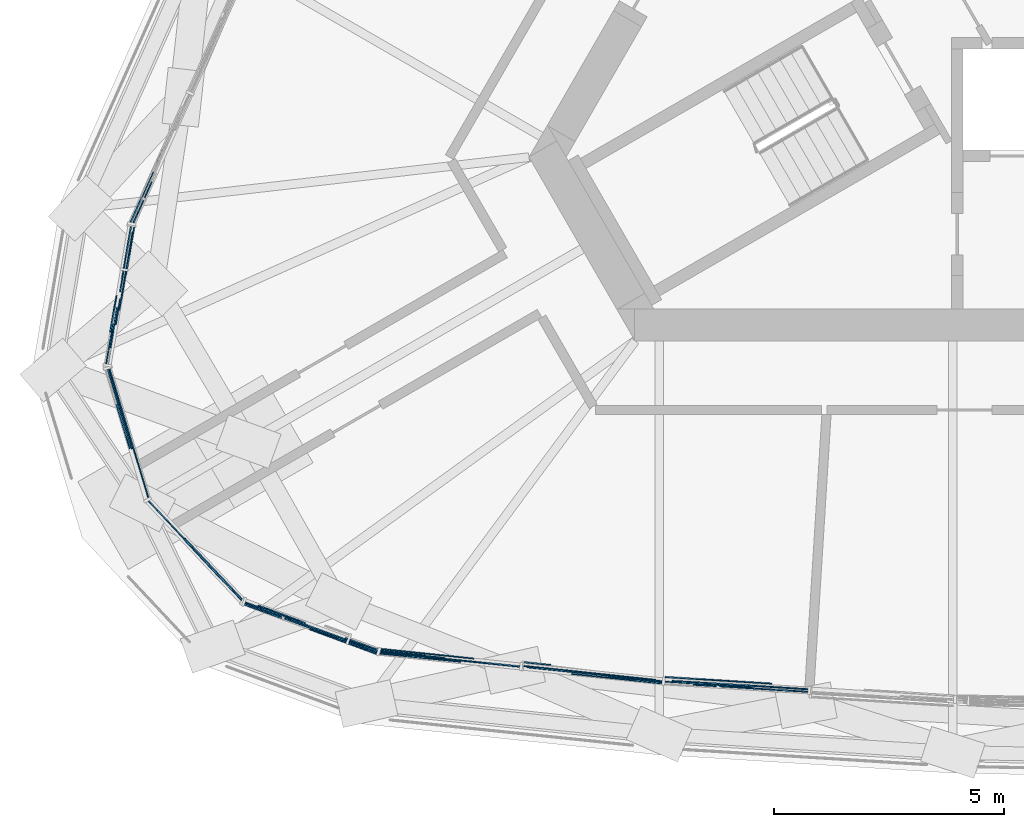
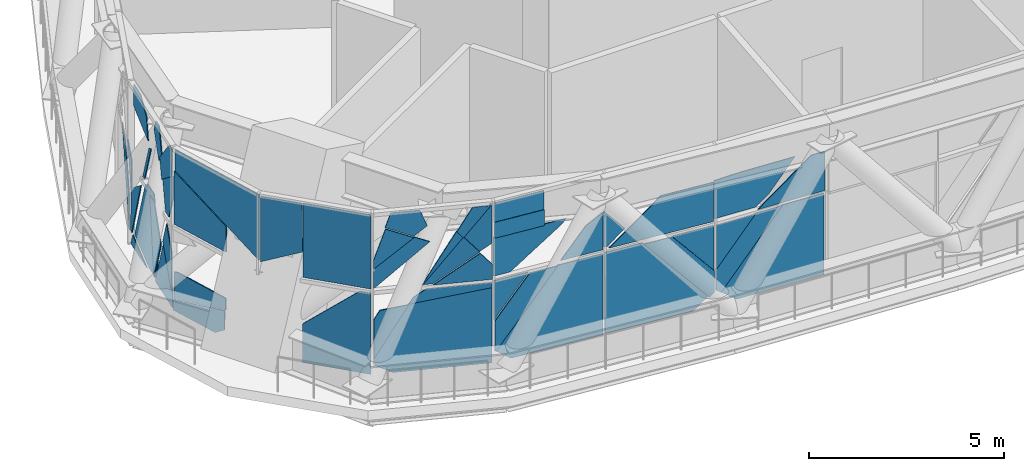
# One storey, part 9 of 33: 48 plates, 3 elements without a shape of their own.
"""IFC4 building model written with IfcOpenShell, lengths in metres."""

from ifc_helpers import new_model, si_unit, direction, frame, origin, place, context, subcontext, project, spatial, polyline, outline, extrude, material, layer, layer_set, type_object, element, aggregate, save


model = new_model("IFC4")

# Units and contexts
model_context = context("Model", 3, precision=1e-05, world=origin(), true_north=direction((0.0, 1.0)))
body_context = subcontext(model_context, "Body", "Model", "MODEL_VIEW")
ifc_project = project(units=[si_unit("LENGTHUNIT", "METRE"), si_unit("AREAUNIT", "SQUARE_METRE"), si_unit("VOLUMEUNIT", "CUBIC_METRE"), si_unit("PLANEANGLEUNIT", "RADIAN"), si_unit("MASSUNIT", "GRAM", prefix="KILO")], contexts=[model_context])

# Site, building, storey
site_placement = place(None, origin())
site = spatial("IfcSite", under=ifc_project, at=site_placement, CompositionType="ELEMENT")
building_placement = place(site_placement, origin())
building = spatial("IfcBuilding", under=site, at=building_placement, Name="Mestral Congress Tower", CompositionType="ELEMENT")
storey_placement = place(building_placement, frame((0.0, 0.0, 256.199951171875)))
storey = spatial("IfcBuildingStorey", under=building, at=storey_placement, Name="L60", CompositionType="ELEMENT", Elevation=256.199951171875)

# Curtain wall, plates
ifc_material_1 = material(Name="Clear low-emissivity double glazing", Category="glass")
curtain_wall_type = type_object("IfcCurtainWallType", Name="Facade refuge band screen", PredefinedType="USERDEFINED", material=ifc_material_1)
placement = place(storey_placement, origin())
curtain_wall_1 = element("IfcCurtainWall", 1, at=placement, inside=storey, type_object=curtain_wall_type, Name="Facade refuge band screen face 1", ObjectType="CURTAIN WALL", PredefinedType="USERDEFINED")
ifc_material_2 = material(Name="Anodised aluminium", Category="aluminium")
ifc_layer_1 = layer(ifc_material_2, 0.028076171875)
ifc_layer_set_1 = layer_set([ifc_layer_1], Name="Anodised aluminium")
plate_type_1 = type_object("IfcPlateType", Name="Facade refuge band screen brace cover panel", PredefinedType="CURTAIN_PANEL", material=ifc_layer_set_1)
plate_1_placement = place(storey_placement, frame((-17.101318359375, -17.338134765625, 2.5400390625), z_axis=(-0.103379390234, -0.994640235948, 0.001871552563), x_axis=(-0.621178199675, 0.063093271321, -0.781125395415)))
plate_1 = element("IfcPlate", 2, at=plate_1_placement, type_object=plate_type_1, Name="Facade refuge band screen brace cover panel", PredefinedType="CURTAIN_PANEL", context=body_context, shape_type="SweptSolid", body=[
    extrude(outline(polyline([(0.0, 0.0), (2.7932579262230375, 4.440892098500626e-16), (2.7931802957386234, -0.03274843942045336), (2.063843629585277, -0.6159500783964226), (0.49226013915455474, -0.6158465653093379), (0.0, 0.0)])), origin(), (0.0, 0.0, -1.0), 0.028076171875),
])
plate_2_placement = place(storey_placement, frame((-12.72607421875, -17.81005859375, 0.473388671875), z_axis=(-0.10352227444, -0.994624990082, 0.002065865059), x_axis=(-0.761368796906, 0.077907750426, -0.643620957957)))
plate_2 = element("IfcPlate", 3, at=plate_2_placement, type_object=plate_type_1, Name="Facade refuge band screen brace cover panel", PredefinedType="CURTAIN_PANEL", context=body_context, shape_type="SweptSolid", body=[
    extrude(outline(polyline([(0.0, 0.0), (0.18435192707830902, 0.0), (0.18547759981695977, -2.8562769257331464), (-0.4292111810353857, -2.339348543820171), (-0.42985233155703656, -0.5109644382313392), (0.0, 0.0)])), origin(), (0.0, 0.0, -1.0), 0.028076171875),
])
plate_3_placement = place(storey_placement, frame((-12.720947265625, -17.761474609375, 3.887939453125), z_axis=(-0.103537584403, -0.994623450805, 0.00203954012), x_axis=(-0.000203109569, -0.002029417667, -0.999997920103)))
plate_3 = element("IfcPlate", 4, at=plate_3_placement, type_object=plate_type_1, Name="Facade refuge band screen brace cover panel", PredefinedType="CURTAIN_PANEL", context=body_context, shape_type="SweptSolid", body=[
    extrude(outline(polyline([(0.0, 0.0), (1.2277856536827398, 2.541098841762901e-20), (1.2277618679999558, -2.947967465425417), (-1.2041603283603536e-05, -1.4732552472235703), (0.0, 0.0)])), origin(), (0.0, 0.0, -1.0), 0.028076171875),
])
plate_4_placement = place(storey_placement, frame((-15.642578125, -17.357421875, 2.66015625), z_axis=(-0.103491164646, -0.994628250995, 0.002054546745), x_axis=(-0.994630349718, 0.103491388111, 2.465286e-06)))
plate_4 = element("IfcPlate", 5, at=plate_4_placement, type_object=plate_type_1, Name="Facade refuge band screen brace cover panel", PredefinedType="CURTAIN_PANEL", context=body_context, shape_type="SweptSolid", body=[
    extrude(outline(polyline([(0.0, 0.0), (0.10727882487304942, -3.3881317890172014e-21), (0.10726620041973774, -1.1386740138280125), (-0.500141273357996, -0.41650628278703966), (0.0, 0.0)])), origin(), (0.0, 0.0, -1.0), 0.028076171875),
])
plate_5_placement = place(storey_placement, frame((-10.7578125, -17.887939453125, 2.5400390625), z_axis=(-0.062418927982, -0.998047825995, 0.002101060861), x_axis=(-0.627498555361, 0.037607189006, -0.777708983074)))
plate_5 = element("IfcPlate", 6, at=plate_5_placement, type_object=plate_type_1, Name="Facade refuge band screen brace cover panel", PredefinedType="CURTAIN_PANEL", context=body_context, shape_type="SweptSolid", body=[
    extrude(outline(polyline([(0.0, 0.0), (2.79077477568877, -4.440892098500626e-16), (2.7907089696064267, -0.19604871965291504), (2.278141584858341, -0.6101408084164317), (0.4931419201280965, -0.6100983399348904), (0.0, 0.0)])), origin(), (0.0, 0.0, -1.0), 0.028076171875),
])
plate_6_placement = place(storey_placement, frame((-9.552978515625, -17.992919921875, 2.66015625), z_axis=(-0.06223317709, -0.998059285638, 0.002166568815), x_axis=(-0.998061628097, 0.062233323238, 3.9969e-08)))
plate_6 = element("IfcPlate", 7, at=plate_6_placement, type_object=plate_type_1, Name="Facade refuge band screen brace cover panel", PredefinedType="CURTAIN_PANEL", context=body_context, shape_type="SweptSolid", body=[
    extrude(outline(polyline([(0.0, 0.0), (1.921695917654586, 0.0), (0.3849449644127159, -1.2277860693688467), (-7.648780928287537e-05, -1.2277861615669603), (0.0, 0.0)])), origin(), (0.0, 0.0, -1.0), 0.028076171875),
])
plate_7_placement = place(storey_placement, frame((-12.654541015625, -17.668701171875, 3.853759765625), z_axis=(-0.062289521464, -0.998056019883, 0.002048582853), x_axis=(0.997087630121, -0.062138326136, 0.04421635765)))
plate_7 = element("IfcPlate", 8, at=plate_7_placement, type_object=plate_type_1, Name="Facade refuge band screen brace cover panel", PredefinedType="CURTAIN_PANEL", context=body_context, shape_type="SweptSolid", body=[
    extrude(outline(polyline([(0.0, 0.0), (0.7730071261262619, -6.938893903907228e-18), (2.324792582283757, -0.06868146274167136), (1.5454667222664573, -0.9498811363534003), (1.1401817682634008, -1.2452388547658664), (-0.052868524638070964, -1.192434606860922), (0.0, 0.0)])), origin(), (0.0, 0.0, -1.0), 0.028076171875),
])

# Curtain wall, plate
curtain_wall_2 = element("IfcCurtainWall", 9, at=placement, inside=storey, type_object=curtain_wall_type, Name="Facade refuge band screen face 3", ObjectType="CURTAIN WALL", PredefinedType="USERDEFINED")
plate_8_placement = place(storey_placement, frame((-24.291259765625, -7.75537109375, 0.378662109375), z_axis=(-0.913240743545, 0.4074149851, 0.002091469688), x_axis=(0.31668424514, 0.713074277737, -0.625488739555)))
plate_8 = element("IfcPlate", 10, at=plate_8_placement, type_object=plate_type_1, Name="Facade refuge band screen brace cover panel", PredefinedType="CURTAIN_PANEL", context=body_context, shape_type="SweptSolid", body=[
    extrude(outline(polyline([(0.0, 0.0), (0.03278733473663155, -3.469446951953614e-18), (0.028795781538370147, -2.7932626143564248), (-0.5863439918137435, -2.3001221408193144), (-0.5840861479285323, -0.7286288671210783), (0.0, 0.0)])), origin(), (0.0, 0.0, -1.0), 0.028076171875),
])

# Curtain wall, plates
curtain_wall_3 = element("IfcCurtainWall", 11, at=placement, inside=storey, type_object=curtain_wall_type, Name="Facade refuge band screen corner 3", ObjectType="CURTAIN WALL", PredefinedType="USERDEFINED")
plate_9_placement = place(storey_placement, frame((-24.282470703125, -7.828857421875, 0.404541015625), z_axis=(-0.985774987605, 0.168056837627, 0.00213848974), x_axis=(0.002104267219, -0.000381721201, 0.999997713172)))
plate_9 = element("IfcPlate", 12, at=plate_9_placement, type_object=plate_type_1, Name="Facade refuge band screen brace cover panel", PredefinedType="CURTAIN_PANEL", context=body_context, shape_type="SweptSolid", body=[
    extrude(outline(polyline([(0.0, 0.0), (1.3247098393678762, -6.098637220230962e-20), (1.8955288113423847, -0.7355683313880338), (-0.026121604751747712, -0.07606031981339366), (0.0, 0.0)])), origin(), (0.0, 0.0, -1.0), 0.028076171875),
])
plate_10_placement = place(storey_placement, frame((-24.82763671875, -10.871826171875, 1.740478515625), z_axis=(-0.985825123048, 0.167763375486, 0.002067997404), x_axis=(-0.002028901384, 0.000404444786, -0.99999785999)))
plate_10 = element("IfcPlate", 13, at=plate_10_placement, type_object=plate_type_1, Name="Facade refuge band screen brace cover panel", PredefinedType="CURTAIN_PANEL", context=body_context, shape_type="SweptSolid", body=[
    extrude(outline(polyline([(0.0, 0.0), (1.2304712676392862, -5.421010862427522e-20), (0.07767531230014299, -0.6587185270480004), (-0.6655067052488927, -0.3801784455047111), (0.0, 0.0)])), origin(), (0.0, 0.0, -1.0), 0.028076171875),
])
plate_11_placement = place(storey_placement, frame((-24.793212890625, -10.877685546875, 4.12890625), z_axis=(-0.985864987155, 0.167529799992, 0.001998303437), x_axis=(-0.00197117745, 0.00032820797, -0.999998003368)))
plate_11 = element("IfcPlate", 14, at=plate_11_placement, type_object=plate_type_1, Name="Facade refuge band screen brace cover panel", PredefinedType="CURTAIN_PANEL", context=body_context, shape_type="SweptSolid", body=[
    extrude(outline(polyline([(0.0, 0.0), (0.707765226326918, -2.710505431213761e-20), (1.4687509070793765, -0.28505132434714237), (1.4687494648008332, -0.5334167245569259), (0.581050883689675, -0.7486695234623933), (0.0, 0.0)])), origin(), (0.0, 0.0, -1.0), 0.028076171875),
])
plate_12_placement = place(storey_placement, frame((-24.698486328125, -10.134521484375, 3.5478515625), z_axis=(-0.985817883574, 0.167806392965, 0.002028522769), x_axis=(0.04150749915, 0.232097852946, 0.971806418055)))
plate_12 = element("IfcPlate", 15, at=plate_12_placement, type_object=plate_type_1, Name="Facade refuge band screen brace cover panel", PredefinedType="CURTAIN_PANEL", context=body_context, shape_type="SweptSolid", body=[
    extrude(outline(polyline([(0.0, 0.0), (0.6152460795167964, -2.7755575615628914e-17), (1.2645287692472826, -0.8620714296901706), (1.215301335186874, -1.064976797122442), (0.3882076760122668, -0.864361780222362), (0.0, 0.0)])), origin(), (0.0, 0.0, -1.0), 0.028076171875),
])
plate_13_placement = place(storey_placement, frame((-24.540771484375, -9.557861328125, 4.97998046875), z_axis=(-0.985845979346, 0.16764092339, 0.002055677861), x_axis=(-0.167641277407, -0.985848062386, 9.5467e-08)))
plate_13 = element("IfcPlate", 16, at=plate_13_placement, type_object=plate_type_1, Name="Facade refuge band screen brace cover panel", PredefinedType="CURTAIN_PANEL", context=body_context, shape_type="SweptSolid", body=[
    extrude(outline(polyline([(0.0, 0.0), (0.24764332996697716, -1.3552527156068805e-20), (0.4500181637554269, -0.8342303549453901), (0.2344055193311925, -1.0969261365804601), (-0.12494326814316098, -0.3293464173591217), (0.0, 0.0)])), origin(), (0.0, 0.0, -1.0), 0.028076171875),
])
plate_14_placement = place(storey_placement, frame((-24.49609375, -9.126708984375, 3.841552734375), z_axis=(-0.985650149956, 0.168784969339, 0.002327233607), x_axis=(-0.151482188171, -0.890522284259, 0.428979262792)))
plate_14 = element("IfcPlate", 17, at=plate_14_placement, type_object=plate_type_1, Name="Facade refuge band screen brace cover panel", PredefinedType="CURTAIN_PANEL", context=body_context, shape_type="SweptSolid", body=[
    extrude(outline(polyline([(0.0, 0.0), (0.1724433172751475, -1.3877787807814457e-17), (-0.7532739459509059, -0.8955287646634358), (-0.8111208617153689, -0.9226523683339285), (-0.9122390748437958, -0.8746319463879503), (0.0, 0.0)])), origin(), (0.0, 0.0, -1.0), 0.028076171875),
])
plate_15_placement = place(storey_placement, frame((-24.370849609375, -8.780517578125, 4.581787109375), z_axis=(-0.985867193404, 0.167517283876, 0.001958717212), x_axis=(-0.032097128866, -0.177395908319, -0.983616015542)))
plate_15 = element("IfcPlate", 18, at=plate_15_placement, type_object=plate_type_1, Name="Facade refuge band screen brace cover panel", PredefinedType="CURTAIN_PANEL", context=body_context, shape_type="SweptSolid", body=[
    extrude(outline(polyline([(0.0, 0.0), (0.6922500117083046, 4.163336342344337e-17), (0.08802449943300747, -0.9850895383501137), (-0.5634728980037647, -0.8656539167619179), (-0.4724967095904812, -0.36924328835900466), (0.0, 0.0)])), origin(), (0.0, 0.0, -1.0), 0.028076171875),
])
plate_16_placement = place(storey_placement, frame((-24.796630859375, -10.943115234375, 0.320068359375), z_axis=(-0.957415790891, -0.288704462826, 0.002176349342), x_axis=(0.00209241554, 0.000599341301, 0.999997631291)))
plate_16 = element("IfcPlate", 19, at=plate_16_placement, type_object=plate_type_1, Name="Facade refuge band screen brace cover panel", PredefinedType="CURTAIN_PANEL", context=body_context, shape_type="SweptSolid", body=[
    extrude(outline(polyline([(0.0, 0.0), (0.8557147322425879, 1.2536087619363645e-19), (0.8920955825434635, -0.12218285780006947), (0.8921470572782509, -1.8227705231594364), (0.5237378323318033, -1.8204888101811108), (0.0, 0.0)])), origin(), (0.0, 0.0, -1.0), 0.028076171875),
])
plate_17_placement = place(storey_placement, frame((-24.405517578125, -12.380615234375, 0.0), z_axis=(-0.957408776989, -0.288728585627, 0.002058540045), x_axis=(-0.288729197267, 0.957410805582, 6.01e-08)))
plate_17 = element("IfcPlate", 20, at=plate_17_placement, type_object=plate_type_1, Name="Facade refuge band screen brace cover panel", PredefinedType="CURTAIN_PANEL", context=body_context, shape_type="SweptSolid", body=[
    extrude(outline(polyline([(0.0, 0.0), (1.4891921926238314, -1.0842021724855044e-19), (1.4892849736789782, -0.32006878865562616), (-0.331290175010924, -0.8437520141118555), (-0.3275466488934815, -0.2365726407053087), (0.0, 0.0)])), origin(), (0.0, 0.0, -1.0), 0.028076171875),
])
plate_18_placement = place(storey_placement, frame((-24.759033203125, -10.931640625, 4.97998046875), z_axis=(-0.957389758556, -0.288792055628, 0.001999704412), x_axis=(0.288792633032, -0.957391672779, -6.142e-09)))
plate_18 = element("IfcPlate", 21, at=plate_18_placement, type_object=plate_type_1, Name="Facade refuge band screen brace cover panel", PredefinedType="CURTAIN_PANEL", context=body_context, shape_type="SweptSolid", body=[
    extrude(outline(polyline([(0.0, 0.0), (2.9664820993033745, 0.0), (2.9665227066848034, -2.051029473255233), (0.00011495032780485278, -0.6503919436201477), (0.0, 0.0)])), origin(), (0.0, 0.0, -1.0), 0.028076171875),
])
plate_19_placement = place(storey_placement, frame((-24.7919921875, -10.941650390625, 2.66015625), z_axis=(-0.957407281838, -0.288735007096, 0.001841836197), x_axis=(0.001788412916, 0.000448832024, 0.999998300063)))
plate_19 = element("IfcPlate", 22, at=plate_19_placement, type_object=plate_type_1, Name="Facade refuge band screen brace cover panel", PredefinedType="CURTAIN_PANEL", context=body_context, shape_type="SweptSolid", body=[
    extrude(outline(polyline([(0.0, 0.0), (1.6694363240435612, 2.710505431213761e-20), (0.8024066254717331, -1.8366412697444658), (0.00015862840487580255, -1.8316575264232242), (0.0, 0.0)])), origin(), (0.0, 0.0, -1.0), 0.028076171875),
])
plate_20_placement = place(storey_placement, frame((-23.12890625, -14.669921875, 0.0), z_axis=(-0.728759226976, -0.684767068659, 0.002012654196), x_axis=(0.001712774421, 0.001116364763, 0.999997910065)))
plate_20 = element("IfcPlate", 23, at=plate_20_placement, type_object=plate_type_1, Name="Facade refuge band screen brace cover panel", PredefinedType="CURTAIN_PANEL", context=body_context, shape_type="SweptSolid", body=[
    extrude(outline(polyline([(0.0, 0.0), (1.216555590578637, -2.168404344971009e-19), (2.5405914912032146, -1.522811147007181), (2.5407015780768325, -1.8290375397898249), (0.0006577360273361855, -1.829933339386931), (0.0, 0.0)])), origin(), (0.0, 0.0, -1.0), 0.028076171875),
])
plate_21_placement = place(storey_placement, frame((-21.856689453125, -15.985595703125, 4.97998046875), z_axis=(-0.728754688825, -0.684771783803, 0.002051248961), x_axis=(-0.001503003496, -0.001395974284, -0.999997896116)))
plate_21 = element("IfcPlate", 24, at=plate_21_placement, type_object=plate_type_1, Name="Facade refuge band screen brace cover panel", PredefinedType="CURTAIN_PANEL", context=body_context, shape_type="SweptSolid", body=[
    extrude(outline(polyline([(0.0, 0.0), (2.3198289059102093, -5.014435047745458e-19), (2.319850852039228, -1.8292432583328244), (2.1553054627131488e-05, -1.8287309774119573), (0.0, 0.0)])), origin(), (0.0, 0.0, -1.0), 0.028076171875),
])
plate_22_placement = place(storey_placement, frame((-23.132568359375, -14.6513671875, 4.97998046875), z_axis=(-0.72878623655, -0.684738497094, 0.001952437448), x_axis=(0.002749461399, -0.005777632079, -0.999979529505)))
plate_22 = element("IfcPlate", 25, at=plate_22_placement, type_object=plate_type_1, Name="Facade refuge band screen brace cover panel", PredefinedType="CURTAIN_PANEL", context=body_context, shape_type="SweptSolid", body=[
    extrude(outline(polyline([(0.0, 0.0), (1.517609250733244, 0.0), (2.0441628054956578, -1.1331144993723608), (-0.006828060663973167, -1.1205680170087757), (0.0, 0.0)])), origin(), (0.0, 0.0, -1.0), 0.028076171875),
])
plate_23_placement = place(storey_placement, frame((-21.836181640625, -16.084716796875, 0.510009765625), z_axis=(-0.347823815769, -0.937557580471, 0.002092005286), x_axis=(0.000778247846, 0.001942608761, 0.999997810298)))
plate_23 = element("IfcPlate", 26, at=plate_23_placement, type_object=plate_type_1, Name="Facade refuge band screen brace cover panel", PredefinedType="CURTAIN_PANEL", context=body_context, shape_type="SweptSolid", body=[
    extrude(outline(polyline([(0.0, 0.0), (1.2304715583453787, 1.0842021724855044e-19), (1.508556786068439, -0.15863345011563287), (1.6023479378654581, -0.9152581162164951), (0.0, 0.0)])), origin(), (0.0, 0.0, -1.0), 0.028076171875),
])
plate_24_placement = place(storey_placement, frame((-21.8173828125, -16.0341796875, 3.31884765625), z_axis=(-0.347746353686, -0.93758687192, 0.001825130207), x_axis=(0.725155062323, -0.267721484225, 0.634409443871)))
plate_24 = element("IfcPlate", 27, at=plate_24_placement, type_object=plate_type_1, Name="Facade refuge band screen brace cover panel", PredefinedType="CURTAIN_PANEL", context=body_context, shape_type="SweptSolid", body=[
    extrude(outline(polyline([(0.0, 0.0), (1.364611430039954, 0.0), (1.5599182367119764, -0.4151717333416194), (-0.40396765925737166, -0.49216115474493854), (0.0, 0.0)])), origin(), (0.0, 0.0, -1.0), 0.028076171875),
])

# Plate
ifc_layer_2 = layer(ifc_material_1, 0.028076171875)
ifc_layer_set_2 = layer_set([ifc_layer_2], Name="Clear low-emissivity double glazing")
plate_type_2 = type_object("IfcPlateType", Name="Facade refuge band screen panel", PredefinedType="CURTAIN_PANEL", material=ifc_layer_set_2)
plate_25_placement = place(storey_placement, frame((-15.819580078125, -17.441650390625, 2.5400390625), z_axis=(-0.103592969139, -0.994617792046, 0.001986073963), x_axis=(-0.000292930105, -0.001966307616, -0.999998023911)))
plate_25 = element("IfcPlate", 28, at=plate_25_placement, type_object=plate_type_2, Name="Refuge screen glass unit", PredefinedType="CURTAIN_PANEL", context=body_context, shape_type="SweptSolid", body=[
    extrude(outline(polyline([(0.0, 0.0), (2.54004385881709, -2.710505431213761e-20), (2.540270333200344, -2.5815064535428), (2.182154610298448, -3.0295785044379286), (0.00011249119413504055, -1.285737334554178), (0.0, 0.0)])), origin(), (0.0, 0.0, -1.0), 0.028076171875),
])

plate_26_placement = place(storey_placement, frame((-18.855224609375, -17.09521484375, 2.5400390625), z_axis=(-0.103764814824, -0.994599436095, 0.002196570925), x_axis=(0.994601835537, -0.103765065154, 0.0)))
plate_26 = element("IfcPlate", 29, at=plate_26_placement, type_object=plate_type_2, Name="Refuge screen glass unit", PredefinedType="CURTAIN_PANEL", context=body_context, shape_type="SweptSolid", body=[
    extrude(outline(polyline([(0.0, 0.0), (0.9811263595729103, -2.710505431213761e-20), (3.584323270326641e-05, -1.2275420239019537), (0.0, 0.0)])), origin(), (0.0, 0.0, -1.0), 0.028076171875),
])

plate_27_placement = place(storey_placement, frame((-15.819580078125, -17.44140625, 2.66015625), z_axis=(-0.103552895254, -0.994621911769, 0.002012588794), x_axis=(-0.994623926109, 0.103553105276, 1.4999e-07)))
plate_27 = element("IfcPlate", 30, at=plate_27_placement, type_object=plate_type_2, Name="Refuge screen glass unit", PredefinedType="CURTAIN_PANEL", context=body_context, shape_type="SweptSolid", body=[
    extrude(outline(polyline([(0.0, 0.0), (1.189755001956235, 0.0), (0.48030631100951754, -0.8874528971557666), (1.0163336940008281e-05, -1.175051386357991), (0.0, 0.0)])), origin(), (0.0, 0.0, -1.0), 0.028076171875),
])

plate_28_placement = place(storey_placement, frame((-18.8515625, -17.059326171875, 2.66015625), z_axis=(-0.103529012389, -0.9946245909, 0.001914881183), x_axis=(0.000190203368, 0.001905428564, 0.999998166581)))
plate_28 = element("IfcPlate", 31, at=plate_28_placement, type_object=plate_type_2, Name="Refuge screen glass unit", PredefinedType="CURTAIN_PANEL", context=body_context, shape_type="SweptSolid", body=[
    extrude(outline(polyline([(0.0, 0.0), (1.2277856504450948, -1.3552527156068805e-20), (1.22776886320856, -2.048127362909113), (1.096177854865064, -1.9428406502279458), (-3.740537489122127e-06, -0.4695611918923221), (0.0, 0.0)])), origin(), (0.0, 0.0, -1.0), 0.028076171875),
])

plate_29_placement = place(storey_placement, frame((-17.460693359375, -17.26708984375, 4.387939453125), z_axis=(-0.103657861538, -0.994611518047, 0.001725082639), x_axis=(2.2547406e-05, -0.001736775838, -0.99999849155)))
plate_29 = element("IfcPlate", 32, at=plate_29_placement, type_object=plate_type_2, Name="Refuge screen glass unit", PredefinedType="CURTAIN_PANEL", context=body_context, shape_type="SweptSolid", body=[
    extrude(outline(polyline([(0.0, 0.0), (0.5000009418449112, -1.3552527156068805e-20), (0.49971629425468805, -1.405041142040105), (-0.00028421806794674603, -1.4047730095498494), (0.0, 0.0)])), origin(), (0.0, 0.0, -1.0), 0.028076171875),
])

plate_30_placement = place(storey_placement, frame((-18.856689453125, -17.1083984375, 4.97998046875), z_axis=(-0.10357183735, -0.994619817235, 0.002072117528), x_axis=(0.994621952531, -0.103572059664, 1.8646e-08)))
plate_30 = element("IfcPlate", 33, at=plate_30_placement, type_object=plate_type_2, Name="Refuge screen glass unit", PredefinedType="CURTAIN_PANEL", context=body_context, shape_type="SweptSolid", body=[
    extrude(outline(polyline([(0.0, 0.0), (1.4050158700801452, -5.421010862427522e-20), (1.4048994621527333, -0.5920423128395416), (0.00012641969771765355, -0.5920422604482001), (0.0, 0.0)])), origin(), (0.0, 0.0, -1.0), 0.028076171875),
])

plate_31_placement = place(storey_placement, frame((-12.721923828125, -17.772216796875, 2.5400390625), z_axis=(-0.103464868003, -0.994631206031, 0.001945527575), x_axis=(-0.000349039475, -0.001919717114, -0.999998096427)))
plate_31 = element("IfcPlate", 34, at=plate_31_placement, type_object=plate_type_2, Name="Refuge screen glass unit", PredefinedType="CURTAIN_PANEL", context=body_context, shape_type="SweptSolid", body=[
    extrude(outline(polyline([(0.0, 0.0), (1.398928444212398, -8.131516293641283e-20), (0.00017490320381664167, -1.177461899111754), (0.0, 0.0)])), origin(), (0.0, 0.0, -1.0), 0.028076171875),
])

plate_32_placement = place(storey_placement, frame((-13.27880859375, -17.689208984375, 0.0), z_axis=(-0.103605154407, -0.99461640651, 0.00204349743), x_axis=(-0.994618483213, 0.103605370766, 1.8054e-08)))
plate_32 = element("IfcPlate", 35, at=plate_32_placement, type_object=plate_type_2, Name="Refuge screen glass unit", PredefinedType="CURTAIN_PANEL", context=body_context, shape_type="SweptSolid", body=[
    extrude(outline(polyline([(0.0, 0.0), (2.492910106879677, 1.0842021724855044e-19), (2.492955679059479, -2.540044282953693), (1.4178401991910325, -2.5400444248412115), (-0.42138536491683387, -0.35473701072827435), (0.0, 0.0)])), origin(), (0.0, 0.0, -1.0), 0.028076171875),
])

plate_33_placement = place(storey_placement, frame((-12.662841796875, -17.799072265625, 2.5400390625), z_axis=(-0.062215628913, -0.998060508583, 0.002106353518), x_axis=(0.998062722651, -0.062215766931, 0.0)))
plate_33 = element("IfcPlate", 36, at=plate_33_placement, type_object=plate_type_2, Name="Refuge screen glass unit", PredefinedType="CURTAIN_PANEL", context=body_context, shape_type="SweptSolid", body=[
    extrude(outline(polyline([(0.0, 0.0), (1.1222913771641294, -2.710505431213761e-20), (0.00018227275467984312, -1.3881866732547739), (0.0, 0.0)])), origin(), (0.0, 0.0, -1.0), 0.028076171875),
])

plate_34_placement = place(storey_placement, frame((-9.549072265625, -17.93310546875, 2.5400390625), z_axis=(-0.062196738408, -0.998061935163, 0.001984769332), x_axis=(-9.3893068e-05, -0.001982768313, -0.999998029905)))
plate_34 = element("IfcPlate", 37, at=plate_34_placement, type_object=plate_type_2, Name="Refuge screen glass unit", PredefinedType="CURTAIN_PANEL", context=body_context, shape_type="SweptSolid", body=[
    extrude(outline(polyline([(0.0, 0.0), (2.5400442468650892, -8.131516293641283e-20), (2.539969793598975, -2.506324833815373), (2.17032685400877, -2.963536265938038), (-3.5785938874346835e-05, -1.2091275619306285), (0.0, 0.0)])), origin(), (0.0, 0.0, -1.0), 0.028076171875),
])

aggregate(curtain_wall_1, [plate_25, plate_26, plate_1, plate_27, plate_28, plate_29, plate_30, plate_31, plate_32, plate_2, plate_3, plate_4, plate_33, plate_34, plate_5, plate_6, plate_7])

plate_35_placement = place(storey_placement, frame((-24.232666015625, -7.781494140625, 2.5400390625), z_axis=(-0.913172513986, 0.407568549839, 0.001958796107), x_axis=(-0.0017899727, 0.000795543422, -0.999998081552)))
plate_35 = element("IfcPlate", 38, at=plate_35_placement, type_object=plate_type_2, Name="Refuge screen glass unit", PredefinedType="CURTAIN_PANEL", context=body_context, shape_type="SweptSolid", body=[
    extrude(outline(polyline([(0.0, 0.0), (1.227541417473937, 6.522153693858113e-20), (-3.0104792583527436e-06, -0.9811885061204801), (0.0, 0.0)])), origin(), (0.0, 0.0, -1.0), 0.028076171875),
])

aggregate(curtain_wall_2, [plate_35, plate_8])

plate_36_placement = place(storey_placement, frame((-24.3056640625, -7.96484375, 0.357177734375), z_axis=(-0.985858920362, 0.167566910547, 0.001876068204), x_axis=(-0.159092864523, -0.932368503103, -0.324620447415)))
plate_36 = element("IfcPlate", 39, at=plate_36_placement, type_object=plate_type_2, Name="Refuge screen glass unit", PredefinedType="CURTAIN_PANEL", context=body_context, shape_type="SweptSolid", body=[
    extrude(outline(polyline([(0.0, 0.0), (1.100293395622227, 5.551115123125783e-17), (-0.01042933155501484, -0.38120861189687655), (0.0, 0.0)])), origin(), (0.0, 0.0, -1.0), 0.028076171875),
])

plate_37_placement = place(storey_placement, frame((-24.80029296875, -10.87646484375, 0.510009765625), z_axis=(-0.985868095142, 0.167510197405, 0.002105408579), x_axis=(-0.00206376665, 0.000422674035, -0.999997781104)))
plate_37 = element("IfcPlate", 40, at=plate_37_placement, type_object=plate_type_2, Name="Refuge screen glass unit", PredefinedType="CURTAIN_PANEL", context=body_context, shape_type="SweptSolid", body=[
    extrude(outline(polyline([(0.0, 0.0), (0.5100112564049155, -1.3552527156068805e-20), (0.5101018871371424, -1.2815644500352559), (-1.1527874636757602, -0.6586916084612977), (0.0, 0.0)])), origin(), (0.0, 0.0, -1.0), 0.028076171875),
])

plate_38_placement = place(storey_placement, frame((-24.481689453125, -9.371826171875, 2.5400390625), z_axis=(-0.985843413416, 0.167656762107, 0.001993575867), x_axis=(-0.024060506266, -0.129691964784, -0.991262370066)))
plate_38 = element("IfcPlate", 41, at=plate_38_placement, type_object=plate_type_2, Name="Refuge screen glass unit", PredefinedType="CURTAIN_PANEL", context=body_context, shape_type="SweptSolid", body=[
    extrude(outline(polyline([(0.0, 0.0), (2.3981512548694774, -5.551115123125783e-17), (2.5515085802540867, -0.08207063987102375), (2.468287553524793, -0.7075472130326532), (1.9769706916053313, -1.692053830030316), (0.012784036926995923, -0.642501860487358), (-0.06728776493034942, -0.5057212209165717), (0.0, 0.0)])), origin(), (0.0, 0.0, -1.0), 0.028076171875),
])

plate_39_placement = place(storey_placement, frame((-24.65576171875, -9.6630859375, 0.162841796875), z_axis=(-0.985803356349, 0.167891939031, 0.002009830899), x_axis=(0.024110217679, 0.12970050002, 0.991260045446)))
plate_39 = element("IfcPlate", 42, at=plate_39_placement, type_object=plate_type_2, Name="Refuge screen glass unit", PredefinedType="CURTAIN_PANEL", context=body_context, shape_type="SweptSolid", body=[
    extrude(outline(polyline([(0.0, 0.0), (2.39815713406377, 0.0), (2.3563741831409595, -0.31399133127307244), (1.269787089299941, -0.6781697714513845), (0.0, 0.0)])), origin(), (0.0, 0.0, -1.0), 0.028076171875),
])

plate_40_placement = place(storey_placement, frame((-18.92138671875, -17.115478515625, 0.0), z_axis=(-0.347739364222, -0.937589232736, 0.001940419682), x_axis=(-0.937590997834, 0.347740018953, 3.8216e-08)))
plate_40 = element("IfcPlate", 43, at=plate_40_placement, type_object=plate_type_2, Name="Refuge screen glass unit", PredefinedType="CURTAIN_PANEL", context=body_context, shape_type="SweptSolid", body=[
    extrude(outline(polyline([(0.0, 0.0), (2.5778936103876577, -2.168404344971009e-19), (3.091293350758268, -0.29345733965887544), (3.091463153965151, -0.510010554681591), (2.1758045218732347, -2.1123086654628236), (0.0001548211188778811, -2.382572857386654), (0.0, 0.0)])), origin(), (0.0, 0.0, -1.0), 0.028076171875),
])

plate_41_placement = place(storey_placement, frame((-20.970458984375, -16.383056640625, 2.1123046875), z_axis=(-0.347788490118, -0.93757062032, 0.00212086174), x_axis=(0.465757172729, -0.170806866966, 0.868271426599)))
plate_41 = element("IfcPlate", 44, at=plate_41_placement, type_object=plate_type_2, Name="Refuge screen glass unit", PredefinedType="CURTAIN_PANEL", context=body_context, shape_type="SweptSolid", body=[
    extrude(outline(polyline([(0.0, 0.0), (0.2159463495372218, 1.3877787807814457e-17), (0.5968967144740873, -0.18249688140050666), (1.4507720439519758, -1.6769901954705813), (1.3139727225500744, -1.7549843414644628), (0.0, 0.0)])), origin(), (0.0, 0.0, -1.0), 0.028076171875),
])

plate_42_placement = place(storey_placement, frame((-19.2060546875, -16.970458984375, 3.510986328125), z_axis=(-0.347819406221, -0.937559570832, 0.001926602444), x_axis=(-0.594288998667, 0.222060008827, 0.772987670369)))
plate_42 = element("IfcPlate", 45, at=plate_42_placement, type_object=plate_type_2, Name="Refuge screen glass unit", PredefinedType="CURTAIN_PANEL", context=body_context, shape_type="SweptSolid", body=[
    extrude(outline(polyline([(0.0, 0.0), (0.6888472474037948, 0.0), (0.9547909640106691, -1.1521620602434128), (0.9343059551628191, -1.1771214043595364), (-0.03165806584341324, -0.38453101600258466), (0.0, 0.0)])), origin(), (0.0, 0.0, -1.0), 0.028076171875),
])

plate_43_placement = place(storey_placement, frame((-18.969482421875, -17.151123046875, 4.97998046875), z_axis=(-0.347786166449, -0.937571600228, 0.002068060111), x_axis=(-0.572801593724, 0.210729793908, -0.792143477021)))
plate_43 = element("IfcPlate", 46, at=plate_43_placement, type_object=plate_type_2, Name="Refuge screen glass unit", PredefinedType="CURTAIN_PANEL", context=body_context, shape_type="SweptSolid", body=[
    extrude(outline(polyline([(0.0, 0.0), (1.1822652315987918, 0.0), (1.121088500695374, -0.2650110741446444), (0.2924005497796811, -0.3795035435581461), (0.0, 0.0)])), origin(), (0.0, 0.0, -1.0), 0.028076171875),
])

plate_44_placement = place(storey_placement, frame((-21.37841796875, -16.16162109375, 4.97998046875), z_axis=(-0.347759218752, -0.937581697958, 0.002021244124), x_axis=(0.937583612953, -0.347759929725, -3.15526e-07)))
plate_44 = element("IfcPlate", 47, at=plate_44_placement, type_object=plate_type_2, Name="Refuge screen glass unit", PredefinedType="CURTAIN_PANEL", context=body_context, shape_type="SweptSolid", body=[
    extrude(outline(polyline([(0.0, 0.0), (0.7656010511257592, 0.0), (0.9544198713388828, -0.5036626220420122), (0.5990336206329034, -0.7954118804039075), (-0.14550519508731843, -0.44091883051993536), (0.0, 0.0)])), origin(), (0.0, 0.0, -1.0), 0.028076171875),
])

plate_45_placement = place(storey_placement, frame((-21.535888671875, -16.168212890625, 4.5390625), z_axis=(-0.347711675913, -0.937599424416, 0.001977313649), x_axis=(0.846231494904, -0.314734265087, -0.42992394608)))
plate_45 = element("IfcPlate", 48, at=plate_45_placement, type_object=plate_type_2, Name="Refuge screen glass unit", PredefinedType="CURTAIN_PANEL", context=body_context, shape_type="SweptSolid", body=[
    extrude(outline(polyline([(0.0, 0.0), (0.8245463149244989, 0.0), (0.24423512642121115, -1.2351955799528995), (0.12431659433992948, -0.9832228191898416), (0.0, 0.0)])), origin(), (0.0, 0.0, -1.0), 0.028076171875),
])

plate_46_placement = place(storey_placement, frame((-18.940673828125, -17.1669921875, 2.66015625), z_axis=(-0.34782000376, -0.937558699363, 0.002220412752), x_axis=(-0.937561010503, 0.347820861342, 7.7991e-08)))
plate_46 = element("IfcPlate", 49, at=plate_46_placement, type_object=plate_type_2, Name="Refuge screen glass unit", PredefinedType="CURTAIN_PANEL", context=body_context, shape_type="SweptSolid", body=[
    extrude(outline(polyline([(0.0, 0.0), (1.547575704267117, -2.168404344971009e-19), (0.31708659055552585, -0.8508321507979942), (-0.00011808843674221971, -0.46435673415088213), (0.0, 0.0)])), origin(), (0.0, 0.0, -1.0), 0.028076171875),
])

plate_47_placement = place(storey_placement, frame((-19.216552734375, -16.99853515625, 3.510986328125), z_axis=(-0.347532502605, -0.937666345505, 0.00172746664), x_axis=(-0.771544949499, 0.284914086863, -0.568807835749)))
plate_47 = element("IfcPlate", 50, at=plate_47_placement, type_object=plate_type_2, Name="Refuge screen glass unit", PredefinedType="CURTAIN_PANEL", context=body_context, shape_type="SweptSolid", body=[
    extrude(outline(polyline([(0.0, 0.0), (1.4958125682446988, -1.1102230246251565e-16), (1.720208508864325, -0.15518889695461247), (0.056559377177262005, -0.6865213600743838), (0.0, 0.0)])), origin(), (0.0, 0.0, -1.0), 0.028076171875),
])

plate_48_placement = place(storey_placement, frame((-19.63623046875, -16.873779296875, 4.04345703125), z_axis=(-0.347461595221, -0.937692574185, 0.001753899975), x_axis=(-0.572877824303, 0.210798119014, -0.792070168256)))
plate_48 = element("IfcPlate", 51, at=plate_48_placement, type_object=plate_type_2, Name="Refuge screen glass unit", PredefinedType="CURTAIN_PANEL", context=body_context, shape_type="SweptSolid", body=[
    extrude(outline(polyline([(0.0, 0.0), (1.7464371242208587, 1.1102230246251565e-16), (1.7567633482042717, -0.01339890341372929), (-0.061196328072097045, -0.2649509041935074), (0.0, 0.0)])), origin(), (0.0, 0.0, -1.0), 0.028076171875),
])

aggregate(curtain_wall_3, [plate_36, plate_37, plate_38, plate_39, plate_9, plate_10, plate_11, plate_12, plate_13, plate_14, plate_15, plate_16, plate_17, plate_18, plate_19, plate_20, plate_21, plate_22, plate_40, plate_41, plate_23, plate_42, plate_43, plate_44, plate_45, plate_46, plate_47, plate_48, plate_24])

save(model, "model.ifc")
